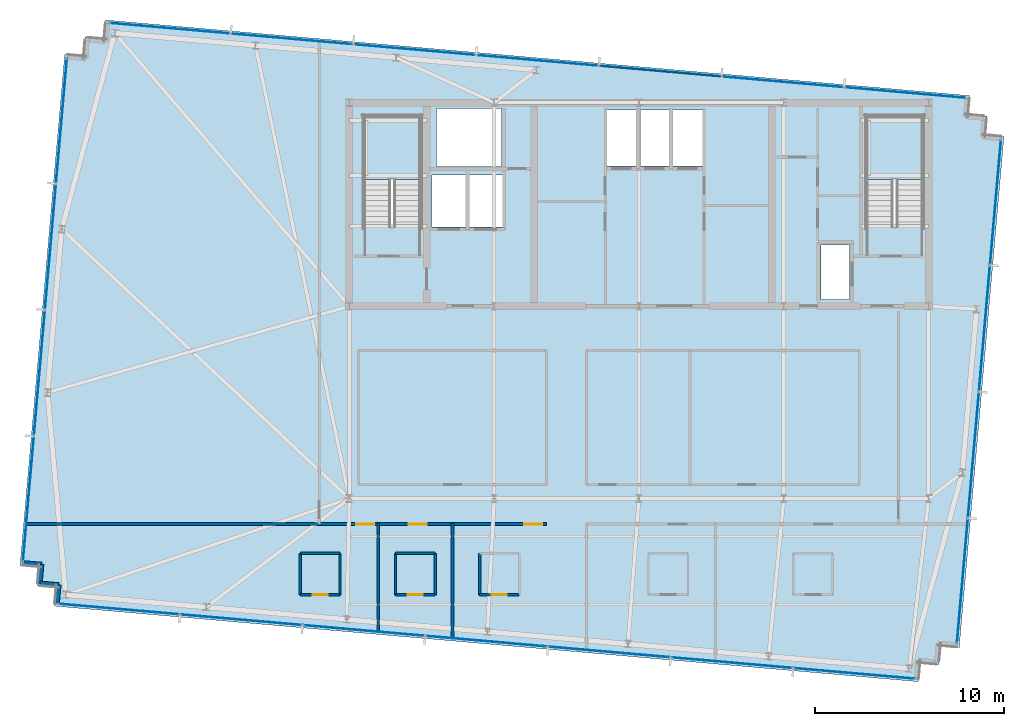
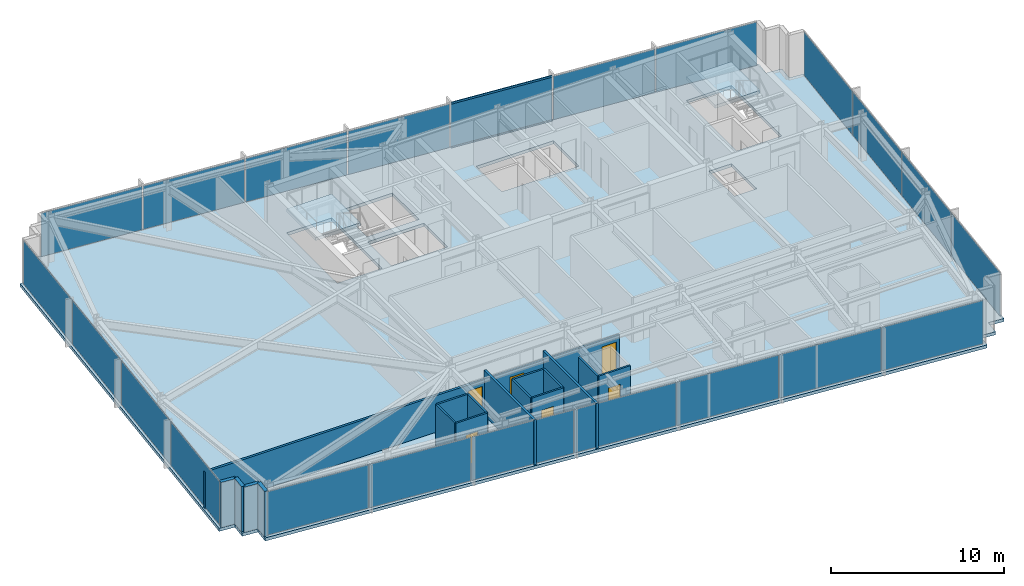
# One storey, part 26 of 33: 22 plates, 17 walls, 6 doors, 3 slabs, 2 members, 6 openings, 6 elements without a shape of their own.
"""IFC4 building model written with IfcOpenShell, lengths in metres."""

from ifc_helpers import new_model, si_unit, direction, frame, frame_2d, origin, origin_2d, place, context, subcontext, project, spatial, polyline, rectangle, hollow_rectangle, outline, extrude, material, layer, layer_set, material_profile, profile_set, type_object, element, fill, aggregate, save


model = new_model("IFC4")

# Units and contexts
model_context = context("Model", 3, precision=1e-05, world=origin(), true_north=direction((0.0, 1.0)))
body_context = subcontext(model_context, "Body", "Model", "MODEL_VIEW")
ifc_project = project(units=[si_unit("LENGTHUNIT", "METRE"), si_unit("AREAUNIT", "SQUARE_METRE"), si_unit("VOLUMEUNIT", "CUBIC_METRE"), si_unit("PLANEANGLEUNIT", "RADIAN"), si_unit("MASSUNIT", "GRAM", prefix="KILO")], contexts=[model_context])

# Site, building, storey
site_placement = place(None, origin())
site = spatial("IfcSite", under=ifc_project, at=site_placement, CompositionType="ELEMENT")
building_placement = place(site_placement, origin())
building = spatial("IfcBuilding", under=site, at=building_placement, Name="Yelkora Congress Tower", CompositionType="ELEMENT")
storey_placement = place(building_placement, frame((0.0, 0.0, 286.300048828125)))
storey = spatial("IfcBuildingStorey", under=building, at=storey_placement, Name="L80", CompositionType="ELEMENT", Elevation=286.300048828125)

# Curtain wall, members
ifc_material_1 = material(Name="Anodised aluminium and insulated glass", Category="aluminium")
curtain_wall_type = type_object("IfcCurtainWallType", Name="CW-SYS-B5", PredefinedType="NOTDEFINED", material=ifc_material_1)
curtain_wall_1_placement = place(storey_placement, origin())
curtain_wall_1 = element("IfcCurtainWall", 1, at=curtain_wall_1_placement, inside=storey, type_object=curtain_wall_type, Name="L80 Unitised Curtain Wall 10", PredefinedType="NOTDEFINED")
ifc_material_2 = material(Name="Anodised aluminium 6063-T6", Category="aluminium")
ifc_material_profile = material_profile(ifc_material_2, hollow_rectangle(XDim=0.06005859375, YDim=0.1298828125, WallThickness=0.00390625, at=origin_2d()), Name="ALU 60x130x4")
ifc_profile_set = profile_set([ifc_material_profile], Name="Anodised aluminium 6063-T6")
member_type = type_object("IfcMemberType", Name="MEM-TR-B5", PredefinedType="USERDEFINED", material=ifc_profile_set)
member_1_placement = place(storey_placement, frame((36.298583984375, 48.14794921875, 0.030029296875), z_axis=(0.996192979814, -0.08717538052, 0.0), x_axis=(0.08717538052, 0.996192979814, 0.0)))
member_1 = element("IfcMember", 2, at=member_1_placement, type_object=member_type, Name="CW-B5 transom 5.1", ObjectType="TRANSOM", PredefinedType="USERDEFINED", context=body_context, shape_type="SweptSolid", body=[
    extrude(hollow_rectangle(XDim=0.06005859375, YDim=0.1298828125, WallThickness=0.00390625, at=origin_2d()), origin(), (0.0, 0.0, 1.0), 6.466552734375),
])
member_2_placement = place(storey_placement, frame((36.298583984375, 48.14794921875, 3.14990234375), z_axis=(0.996192979814, -0.08717538052, 0.0), x_axis=(0.08717538052, 0.996192979814, 0.0)))
member_2 = element("IfcMember", 3, at=member_2_placement, type_object=member_type, Name="CW-B5 transom 5.2", ObjectType="TRANSOM", PredefinedType="USERDEFINED", context=body_context, shape_type="SweptSolid", body=[
    extrude(hollow_rectangle(XDim=0.06005859375, YDim=0.1298828125, WallThickness=0.00390625, at=origin_2d()), origin(), (0.0, 0.0, 1.0), 6.466552734375),
])

# Curtain wall, plates
curtain_wall_2_placement = place(storey_placement, origin())
curtain_wall_2 = element("IfcCurtainWall", 4, at=curtain_wall_2_placement, inside=storey, type_object=curtain_wall_type, Name="L80 Unitised Curtain Wall 5", PredefinedType="NOTDEFINED")
ifc_material_3 = material(Name="High-altitude triple glazed unit B5", Category="glass")
ifc_layer_1 = layer(ifc_material_3, 0.033935546875)
ifc_layer_set_1 = layer_set([ifc_layer_1], Name="High-altitude triple glazed unit B5")
plate_type = type_object("IfcPlateType", Name="PLT-PN-B5", PredefinedType="CURTAIN_PANEL", material=ifc_layer_set_1)
plate_1_placement = place(storey_placement, frame((6.021728515625, 25.16064453125, 0.059814453125), z_axis=(0.0, 0.0, 1.0), x_axis=(0.08715473876, 0.996194785929, 0.0)))
plate_1 = element("IfcPlate", 5, at=plate_1_placement, type_object=plate_type, Name="CW-B5 panel 1.1", PredefinedType="CURTAIN_PANEL", context=body_context, shape_type="SweptSolid", body=[
    extrude(rectangle(XDim=6.632568359375, YDim=0.033935546875, at=origin_2d()), origin(), (0.0, 0.0, 1.0), 3.06005859375),
])
plate_2_placement = place(storey_placement, frame((6.60693359375, 31.848876953125, 0.059814453125), z_axis=(0.0, 0.0, 1.0), x_axis=(0.08715473876, 0.996194785929, 0.0)))
plate_2 = element("IfcPlate", 6, at=plate_2_placement, type_object=plate_type, Name="CW-B5 panel 2.1", PredefinedType="CURTAIN_PANEL", context=body_context, shape_type="SweptSolid", body=[
    extrude(rectangle(XDim=6.6650390625, YDim=0.033935546875, at=origin_2d()), origin(), (0.0, 0.0, 1.0), 3.06005859375),
])
plate_3_placement = place(storey_placement, frame((7.193359375, 38.55322265625, 0.059814453125), z_axis=(0.0, 0.0, 1.0), x_axis=(0.08715473876, 0.996194785929, 0.0)))
plate_3 = element("IfcPlate", 7, at=plate_3_placement, type_object=plate_type, Name="CW-B5 panel 3.1", PredefinedType="CURTAIN_PANEL", context=body_context, shape_type="SweptSolid", body=[
    extrude(rectangle(XDim=6.6650390625, YDim=0.033935546875, at=origin_2d()), origin(), (0.0, 0.0, 1.0), 3.06005859375),
])
plate_4_placement = place(storey_placement, frame((7.778564453125, 45.2412109375, 0.059814453125), z_axis=(0.0, 0.0, 1.0), x_axis=(0.08715473876, 0.996194785929, 0.0)))
plate_4 = element("IfcPlate", 8, at=plate_4_placement, type_object=plate_type, Name="CW-B5 panel 4.1", PredefinedType="CURTAIN_PANEL", context=body_context, shape_type="SweptSolid", body=[
    extrude(rectangle(XDim=6.632568359375, YDim=0.033935546875, at=origin_2d()), origin(), (0.0, 0.0, 1.0), 3.06005859375),
])
aggregate(curtain_wall_2, [plate_1, plate_2, plate_3, plate_4])

# Plate
plate_5_placement = place(storey_placement, frame((13.509521484375, 50.141845703125, 0.059814453125), z_axis=(0.0, 0.0, 1.0), x_axis=(0.996194619601, -0.087156639893, 0.0)))
plate_5 = element("IfcPlate", 9, at=plate_5_placement, type_object=plate_type, Name="CW-B5 panel 1.1", PredefinedType="CURTAIN_PANEL", context=body_context, shape_type="SweptSolid", body=[
    extrude(rectangle(XDim=6.433837890625, YDim=0.033935546875, at=origin_2d()), origin(), (0.0, 0.0, 1.0), 3.06005859375),
])

plate_6_placement = place(storey_placement, frame((19.999755859375, 49.573974609375, 0.059814453125), z_axis=(0.0, 0.0, 1.0), x_axis=(0.996194619601, -0.087156639893, 0.0)))
plate_6 = element("IfcPlate", 10, at=plate_6_placement, type_object=plate_type, Name="CW-B5 panel 2.1", PredefinedType="CURTAIN_PANEL", context=body_context, shape_type="SweptSolid", body=[
    extrude(rectangle(XDim=6.46630859375, YDim=0.033935546875, at=origin_2d()), origin(), (0.0, 0.0, 1.0), 3.06005859375),
])

plate_7_placement = place(storey_placement, frame((26.50634765625, 49.004638671875, 0.059814453125), z_axis=(0.0, 0.0, 1.0), x_axis=(0.996194619601, -0.087156639893, 0.0)))
plate_7 = element("IfcPlate", 11, at=plate_7_placement, type_object=plate_type, Name="CW-B5 panel 3.1", PredefinedType="CURTAIN_PANEL", context=body_context, shape_type="SweptSolid", body=[
    extrude(rectangle(XDim=6.46630859375, YDim=0.033935546875, at=origin_2d()), origin(), (0.0, 0.0, 1.0), 3.06005859375),
])

plate_8_placement = place(storey_placement, frame((33.012939453125, 48.435302734375, 0.059814453125), z_axis=(0.0, 0.0, 1.0), x_axis=(0.996194619601, -0.087156639893, 0.0)))
plate_8 = element("IfcPlate", 12, at=plate_8_placement, type_object=plate_type, Name="CW-B5 panel 4.1", PredefinedType="CURTAIN_PANEL", context=body_context, shape_type="SweptSolid", body=[
    extrude(rectangle(XDim=6.46630859375, YDim=0.033935546875, at=origin_2d()), origin(), (0.0, 0.0, 1.0), 3.06005859375),
])

plate_9_placement = place(storey_placement, frame((39.51953125, 47.8662109375, 0.059814453125), z_axis=(0.0, 0.0, 1.0), x_axis=(0.996194619601, -0.087156639893, 0.0)))
plate_9 = element("IfcPlate", 13, at=plate_9_placement, type_object=plate_type, Name="CW-B5 panel 5.1", PredefinedType="CURTAIN_PANEL", context=body_context, shape_type="SweptSolid", body=[
    extrude(rectangle(XDim=6.46630859375, YDim=0.033935546875, at=origin_2d()), origin(), (0.0, 0.0, 1.0), 3.06005859375),
])

plate_10_placement = place(storey_placement, frame((46.026123046875, 47.296875, 0.059814453125), z_axis=(0.0, 0.0, 1.0), x_axis=(0.996194619601, -0.087156639893, 0.0)))
plate_10 = element("IfcPlate", 14, at=plate_10_placement, type_object=plate_type, Name="CW-B5 panel 6.1", PredefinedType="CURTAIN_PANEL", context=body_context, shape_type="SweptSolid", body=[
    extrude(rectangle(XDim=6.46630859375, YDim=0.033935546875, at=origin_2d()), origin(), (0.0, 0.0, 1.0), 3.06005859375),
])

plate_11_placement = place(storey_placement, frame((52.5166015625, 46.72900390625, 0.059814453125), z_axis=(0.0, 0.0, 1.0), x_axis=(0.996194619601, -0.087156639893, 0.0)))
plate_11 = element("IfcPlate", 15, at=plate_11_placement, type_object=plate_type, Name="CW-B5 panel 7.1", PredefinedType="CURTAIN_PANEL", context=body_context, shape_type="SweptSolid", body=[
    extrude(rectangle(XDim=6.433837890625, YDim=0.033935546875, at=origin_2d()), origin(), (0.0, 0.0, 1.0), 3.06005859375),
])

aggregate(curtain_wall_1, [plate_5, plate_6, plate_7, plate_8, member_1, member_2, plate_9, plate_10, plate_11])

# Curtain wall, plates
curtain_wall_3_placement = place(storey_placement, origin())
curtain_wall_3 = element("IfcCurtainWall", 16, at=curtain_wall_3_placement, inside=storey, type_object=curtain_wall_type, Name="L80 Unitised Curtain Wall 15", PredefinedType="NOTDEFINED")
plate_12_placement = place(storey_placement, frame((57.309326171875, 40.907958984375, 0.059814453125), z_axis=(0.0, 0.0, 1.0), x_axis=(-0.087158425264, -0.996194463398, 0.0)))
plate_12 = element("IfcPlate", 17, at=plate_12_placement, type_object=plate_type, Name="CW-B5 panel 1.1", PredefinedType="CURTAIN_PANEL", context=body_context, shape_type="SweptSolid", body=[
    extrude(rectangle(XDim=6.632568359375, YDim=0.033935546875, at=origin_2d()), origin(), (0.0, 0.0, 1.0), 3.06005859375),
])
plate_13_placement = place(storey_placement, frame((56.72412109375, 34.2197265625, 0.059814453125), z_axis=(0.0, 0.0, 1.0), x_axis=(-0.087158425264, -0.996194463398, 0.0)))
plate_13 = element("IfcPlate", 18, at=plate_13_placement, type_object=plate_type, Name="CW-B5 panel 2.1", PredefinedType="CURTAIN_PANEL", context=body_context, shape_type="SweptSolid", body=[
    extrude(rectangle(XDim=6.6650390625, YDim=0.033935546875, at=origin_2d()), origin(), (0.0, 0.0, 1.0), 3.06005859375),
])
plate_14_placement = place(storey_placement, frame((56.1376953125, 27.515380859375, 0.059814453125), z_axis=(0.0, 0.0, 1.0), x_axis=(-0.087158425264, -0.996194463398, 0.0)))
plate_14 = element("IfcPlate", 19, at=plate_14_placement, type_object=plate_type, Name="CW-B5 panel 3.1", PredefinedType="CURTAIN_PANEL", context=body_context, shape_type="SweptSolid", body=[
    extrude(rectangle(XDim=6.6650390625, YDim=0.033935546875, at=origin_2d()), origin(), (0.0, 0.0, 1.0), 3.06005859375),
])
plate_15_placement = place(storey_placement, frame((55.552490234375, 20.8271484375, 0.059814453125), z_axis=(0.0, 0.0, 1.0), x_axis=(-0.087158425264, -0.996194463398, 0.0)))
plate_15 = element("IfcPlate", 20, at=plate_15_placement, type_object=plate_type, Name="CW-B5 panel 4.1", PredefinedType="CURTAIN_PANEL", context=body_context, shape_type="SweptSolid", body=[
    extrude(rectangle(XDim=6.632568359375, YDim=0.033935546875, at=origin_2d()), origin(), (0.0, 0.0, 1.0), 3.06005859375),
])
aggregate(curtain_wall_3, [plate_12, plate_13, plate_14, plate_15])

curtain_wall_4_placement = place(storey_placement, origin())
curtain_wall_4 = element("IfcCurtainWall", 21, at=curtain_wall_4_placement, inside=storey, type_object=curtain_wall_type, Name="L80 Unitised Curtain Wall 20", PredefinedType="NOTDEFINED")
plate_16_placement = place(storey_placement, frame((49.821533203125, 15.9267578125, 0.059814453125), z_axis=(0.0, 0.0, 1.0), x_axis=(-0.996194602987, 0.087156829793, 0.0)))
plate_16 = element("IfcPlate", 22, at=plate_16_placement, type_object=plate_type, Name="CW-B5 panel 1.1", PredefinedType="CURTAIN_PANEL", context=body_context, shape_type="SweptSolid", body=[
    extrude(rectangle(XDim=6.433837890625, YDim=0.033935546875, at=origin_2d()), origin(), (0.0, 0.0, 1.0), 3.06005859375),
])
plate_17_placement = place(storey_placement, frame((43.331298828125, 16.49462890625, 0.059814453125), z_axis=(0.0, 0.0, 1.0), x_axis=(-0.996194602987, 0.087156829793, 0.0)))
plate_17 = element("IfcPlate", 23, at=plate_17_placement, type_object=plate_type, Name="CW-B5 panel 2.1", PredefinedType="CURTAIN_PANEL", context=body_context, shape_type="SweptSolid", body=[
    extrude(rectangle(XDim=6.46630859375, YDim=0.033935546875, at=origin_2d()), origin(), (0.0, 0.0, 1.0), 3.06005859375),
])
plate_18_placement = place(storey_placement, frame((36.82470703125, 17.06396484375, 0.059814453125), z_axis=(0.0, 0.0, 1.0), x_axis=(-0.996194602987, 0.087156829793, 0.0)))
plate_18 = element("IfcPlate", 24, at=plate_18_placement, type_object=plate_type, Name="CW-B5 panel 3.1", PredefinedType="CURTAIN_PANEL", context=body_context, shape_type="SweptSolid", body=[
    extrude(rectangle(XDim=6.46630859375, YDim=0.033935546875, at=origin_2d()), origin(), (0.0, 0.0, 1.0), 3.06005859375),
])
plate_19_placement = place(storey_placement, frame((30.318115234375, 17.633056640625, 0.059814453125), z_axis=(0.0, 0.0, 1.0), x_axis=(-0.996194602987, 0.087156829793, 0.0)))
plate_19 = element("IfcPlate", 25, at=plate_19_placement, type_object=plate_type, Name="CW-B5 panel 4.1", PredefinedType="CURTAIN_PANEL", context=body_context, shape_type="SweptSolid", body=[
    extrude(rectangle(XDim=6.46630859375, YDim=0.033935546875, at=origin_2d()), origin(), (0.0, 0.0, 1.0), 3.06005859375),
])
plate_20_placement = place(storey_placement, frame((23.8115234375, 18.202392578125, 0.059814453125), z_axis=(0.0, 0.0, 1.0), x_axis=(-0.996194602987, 0.087156829793, 0.0)))
plate_20 = element("IfcPlate", 26, at=plate_20_placement, type_object=plate_type, Name="CW-B5 panel 5.1", PredefinedType="CURTAIN_PANEL", context=body_context, shape_type="SweptSolid", body=[
    extrude(rectangle(XDim=6.46630859375, YDim=0.033935546875, at=origin_2d()), origin(), (0.0, 0.0, 1.0), 3.06005859375),
])
plate_21_placement = place(storey_placement, frame((17.304931640625, 18.771728515625, 0.059814453125), z_axis=(0.0, 0.0, 1.0), x_axis=(-0.996194602987, 0.087156829793, 0.0)))
plate_21 = element("IfcPlate", 27, at=plate_21_placement, type_object=plate_type, Name="CW-B5 panel 6.1", PredefinedType="CURTAIN_PANEL", context=body_context, shape_type="SweptSolid", body=[
    extrude(rectangle(XDim=6.46630859375, YDim=0.033935546875, at=origin_2d()), origin(), (0.0, 0.0, 1.0), 3.06005859375),
])
plate_22_placement = place(storey_placement, frame((10.814697265625, 19.33935546875, 0.059814453125), z_axis=(0.0, 0.0, 1.0), x_axis=(-0.996194602987, 0.087156829793, 0.0)))
plate_22 = element("IfcPlate", 28, at=plate_22_placement, type_object=plate_type, Name="CW-B5 panel 7.1", PredefinedType="CURTAIN_PANEL", context=body_context, shape_type="SweptSolid", body=[
    extrude(rectangle(XDim=6.433837890625, YDim=0.033935546875, at=origin_2d()), origin(), (0.0, 0.0, 1.0), 3.06005859375),
])
aggregate(curtain_wall_4, [plate_16, plate_17, plate_18, plate_19, plate_20, plate_21, plate_22])

# Stair, slab
ifc_material_4 = material(Name="Concrete C40/50", Category="concrete")
stair_type = type_object("IfcStairType", Name="STAIR-HT-1420-R20-170", PredefinedType="HALF_TURN_STAIR", material=ifc_material_4)
stair_1_placement = place(storey_placement, origin())
stair_1 = element("IfcStair", 29, at=stair_1_placement, inside=storey, type_object=stair_type, Name="West Core Protected Exit Stair ST-01 (L80)", PredefinedType="HALF_TURN_STAIR")
ifc_layer_2 = layer(ifc_material_4, 0.219970703125)
ifc_layer_set_2 = layer_set([ifc_layer_2], Name="Concrete C40/50")
slab_type_1 = type_object("IfcSlabType", Name="SLAB-LANDING-220", PredefinedType="LANDING", material=ifc_layer_set_2)
slab_1_placement = place(storey_placement, frame((0.0, 0.0, 1.47998046875)))
slab_1 = element("IfcSlab", 30, at=slab_1_placement, type_object=slab_type_1, Name="ST-01 L80 Half Landing 1", PredefinedType="LANDING", context=body_context, shape_type="SweptSolid", body=[
    extrude(outline(polyline([(26.820068359375, 42.1201171875), (26.820068359375, 45.469970703125), (23.820068359375, 45.469970703125), (23.820068359375, 42.1201171875), (26.820068359375, 42.1201171875)])), origin(), (0.0, 0.0, 1.0), 0.219970703125),
])
aggregate(stair_1, [slab_1])

stair_2_placement = place(storey_placement, origin())
stair_2 = element("IfcStair", 31, at=stair_2_placement, inside=storey, type_object=stair_type, Name="East Core Protected Exit Stair ST-02 (L80)", PredefinedType="HALF_TURN_STAIR")
slab_2_placement = place(storey_placement, frame((0.0, 0.0, 1.47998046875)))
slab_2 = element("IfcSlab", 32, at=slab_2_placement, type_object=slab_type_1, Name="ST-02 L80 Half Landing 1", PredefinedType="LANDING", context=body_context, shape_type="SweptSolid", body=[
    extrude(outline(polyline([(53.4599609375, 42.1201171875), (53.4599609375, 45.469970703125), (50.4599609375, 45.469970703125), (50.4599609375, 42.1201171875), (53.4599609375, 42.1201171875)])), origin(), (0.0, 0.0, 1.0), 0.219970703125),
])
aggregate(stair_2, [slab_2])

# Slab
ifc_layer_3 = layer(ifc_material_4, 0.219970703125)
ifc_layer_set_3 = layer_set([ifc_layer_3], Name="Concrete C40/50")
slab_type_2 = type_object("IfcSlabType", Name="SLAB-TWR-220", PredefinedType="FLOOR", material=ifc_layer_set_3)
slab_3_placement = place(storey_placement, frame((0.0, 0.0, -0.219970703125)))
element("IfcSlab", 33, at=slab_3_placement, inside=storey, type_object=slab_type_2, Name="L80 Structural Floor Slab", PredefinedType="FLOOR", context=body_context, shape_type="SweptSolid", body=[
    extrude(outline(polyline([(7.3935546875, 19.498291015625), (53.218505859375, 15.489013671875), (53.3056640625, 16.485107421875), (54.3017578125, 16.398193359375), (54.388916015625, 17.394287109375), (55.385009765625, 17.30712890625), (57.755859375, 44.403564453125), (56.759521484375, 44.49072265625), (56.8466796875, 45.487060546875), (55.8505859375, 45.57421875), (55.937744140625, 46.5703125), (10.11279296875, 50.57958984375), (10.025634765625, 49.583251953125), (9.029296875, 49.67041015625), (8.942138671875, 48.67431640625), (7.946044921875, 48.761474609375), (5.575439453125, 21.664794921875), (6.571533203125, 21.57763671875), (6.484619140625, 20.58154296875), (7.480712890625, 20.494384765625), (7.3935546875, 19.498291015625)]), holes=[polyline([(23.820068359375, 39.6298828125), (26.820068359375, 39.6298828125), (26.820068359375, 45.469970703125), (23.820068359375, 45.469970703125), (23.820068359375, 39.6298828125)]), polyline([(50.4599609375, 39.6298828125), (53.4599609375, 39.6298828125), (53.4599609375, 45.469970703125), (50.4599609375, 45.469970703125), (50.4599609375, 39.6298828125)]), polyline([(48.050048828125, 35.75), (49.550048828125, 35.75), (49.550048828125, 38.64990234375), (48.050048828125, 38.64990234375), (48.050048828125, 35.75)]), polyline([(36.64990234375, 42.85009765625), (41.800048828125, 42.85009765625), (41.800048828125, 45.800048828125), (36.64990234375, 45.800048828125), (36.64990234375, 42.85009765625)]), polyline([(27.419921875, 39.60009765625), (31.179931640625, 39.60009765625), (31.179931640625, 42.35009765625), (27.419921875, 42.35009765625), (27.419921875, 39.60009765625)]), polyline([(27.64990234375, 42.820068359375), (31.1201171875, 42.820068359375), (31.1201171875, 45.8798828125), (27.64990234375, 45.8798828125), (27.64990234375, 42.820068359375)])]), origin(), (0.0, 0.0, 1.0), 0.219970703125),
])

# Walls
ifc_layer_4 = layer(ifc_material_4, 0.239990234375)
ifc_layer_set_4 = layer_set([ifc_layer_4], Name="Concrete C40/50")
wall_type_1 = type_object("IfcWallType", Name="WALL-EXT-LIMESTONE-240", PredefinedType="SOLIDWALL", material=ifc_layer_set_4)
for number, where, z_axis, x_axis, name in (
    (34, (7.545166015625, 19.62548828125, 0.0), (0.0, 0.0, 1.0), (0.087166950281, 0.996193717496, 0.0), "L80 Serrated Corner Limestone Pier 1"),
    (35, (7.63232421875, 20.62158203125, 0.0), (0.0, 0.0, 1.0), (-0.996193717496, 0.087166950281, 0.0), "L80 Serrated Corner Limestone Pier 2"),
):
    element("IfcWall", number, at=place(storey_placement, frame(where, z_axis=z_axis, x_axis=x_axis)), inside=storey, type_object=wall_type_1, Name=name, PredefinedType="SOLIDWALL", context=body_context, shape_type="SweptSolid", body=[
        extrude(rectangle(XDim=1.0, YDim=0.239990234375, at=frame_2d((0.5, 0.0))), origin(), (0.0, 0.0, 1.0), 3.179931640625),
    ])
for number, where, z_axis, x_axis, name in (
    (36, (6.63623046875, 20.708740234375, 0.0), (0.0, 0.0, 1.0), (0.087145753297, 0.996195572005, 0.0), "L80 Serrated Corner Limestone Pier 3"),
    (37, (6.723388671875, 21.705078125, 0.0), (0.0, 0.0, 1.0), (-0.996195572005, 0.087145753297, 0.0), "L80 Serrated Corner Limestone Pier 4"),
):
    element("IfcWall", number, at=place(storey_placement, frame(where, z_axis=z_axis, x_axis=x_axis)), inside=storey, type_object=wall_type_1, Name=name, PredefinedType="SOLIDWALL", context=body_context, shape_type="SweptSolid", body=[
        extrude(rectangle(XDim=1.000244140625, YDim=0.239990234375, at=frame_2d((0.5, 0.0))), origin(), (0.0, 0.0, 1.0), 3.179931640625),
    ])
ifc_material_5 = material(Name="Moisture-resistant gypsum partition", Category="gypsum")
ifc_layer_5 = layer(ifc_material_5, 0.1201171875)
ifc_layer_set_5 = layer_set([ifc_layer_5], Name="Moisture-resistant gypsum partition")
wall_type_2 = type_object("IfcWallType", Name="WALL-INT-120-NR", PredefinedType="PARTITIONING", material=ifc_layer_set_5)
wall_1_placement = place(storey_placement, frame((20.43994140625, 22.300048828125, 0.0), z_axis=(0.0, 0.0, 1.0), x_axis=(1.0, 0.0, 0.0)))
element("IfcWall", 38, at=wall_1_placement, inside=storey, type_object=wall_type_2, Name="L80 Partition Wall 23", PredefinedType="PARTITIONING", context=body_context, shape_type="SweptSolid", body=[
    extrude(rectangle(XDim=2.10009765625, YDim=0.1201171875, at=frame_2d((1.050048828125, 0.0))), origin(), (0.0, 0.0, 1.0), 3.179931640625),
])
for number, where, z_axis, x_axis, name in (
    (39, (20.43994140625, 20.10009765625, 0.0), (0.0, 0.0, 1.0), (0.0, 1.0, 0.0), "L80 Partition Wall 24"),
    (40, (22.5400390625, 20.10009765625, 0.0), (0.0, 0.0, 1.0), (0.0, 1.0, 0.0), "L80 Partition Wall 25"),
):
    element("IfcWall", number, at=place(storey_placement, frame(where, z_axis=z_axis, x_axis=x_axis)), inside=storey, type_object=wall_type_2, Name=name, PredefinedType="PARTITIONING", context=body_context, shape_type="SweptSolid", body=[
        extrude(rectangle(XDim=2.199951171875, YDim=0.1201171875, at=frame_2d((1.10009765625, 0.0))), origin(), (0.0, 0.0, 1.0), 3.179931640625),
    ])

# Wall, opening, door
wall_2_placement = place(storey_placement, frame((20.43994140625, 20.10009765625, 0.0), z_axis=(0.0, 0.0, 1.0), x_axis=(1.0, 0.0, 0.0)))
wall_2 = element("IfcWall", 41, at=wall_2_placement, inside=storey, type_object=wall_type_2, Name="L80 Partition Wall 26", PredefinedType="PARTITIONING", context=body_context, shape_type="SweptSolid", body=[
    extrude(rectangle(XDim=2.10009765625, YDim=0.1201171875, at=frame_2d((1.050048828125, 0.0))), origin(), (0.0, 0.0, 1.0), 3.179931640625),
])
opening_1_placement = place(wall_2_placement, frame((0.64990234375, 0.0, 0.0)))
opening_1 = element("IfcOpeningElement", 42, at=opening_1_placement, cuts=wall_2, Name="Opening DR-080B", PredefinedType="OPENING", context=body_context, shape_type="SweptSolid", body=[
    extrude(rectangle(XDim=0.800048828125, YDim=2.10009765625, at=frame_2d((0.39990234375, 1.050048828125))), frame((0.0, 0.070068359375, 0.0), z_axis=(0.0, -1.0, 0.0), x_axis=(1.0, 0.0, 0.0)), (0.0, 0.0, 1.0), 0.14013671875),
])
ifc_material_6 = material(Name="Moisture-sealed en-suite timber door", Category="wood")
door_type_1 = type_object("IfcDoorType", Name="DOOR-BATH-800", OperationType="NOTDEFINED", PredefinedType="DOOR", material=ifc_material_6)
door_1_placement = place(opening_1_placement, origin())
door_1 = element("IfcDoor", 43, at=door_1_placement, inside=storey, type_object=door_type_1, Name="L80 En-suite Door 1", OperationType="SINGLE_SWING_RIGHT", OverallHeight=2.10009765625, OverallWidth=0.800048828125, PredefinedType="DOOR", context=body_context, shape_type="SweptSolid", body=[
    extrude(rectangle(XDim=0.800048828125, YDim=2.10009765625, at=frame_2d((0.39990234375, 1.050048828125))), frame((0.0, 0.02490234375, 0.0), z_axis=(0.0, -1.0, 0.0), x_axis=(1.0, 0.0, 0.0)), (0.0, 0.0, 1.0), 0.050048828125),
])
fill(opening_1, door_1)

# Walls
wall_3_placement = place(storey_placement, frame((25.492919921875, 22.300048828125, 0.0), z_axis=(0.0, 0.0, 1.0), x_axis=(1.0, 0.0, 0.0)))
element("IfcWall", 44, at=wall_3_placement, inside=storey, type_object=wall_type_2, Name="L80 Partition Wall 27", PredefinedType="PARTITIONING", context=body_context, shape_type="SweptSolid", body=[
    extrude(rectangle(XDim=2.10009765625, YDim=0.1201171875, at=frame_2d((1.050048828125, 0.0))), origin(), (0.0, 0.0, 1.0), 3.179931640625),
])
for number, where, z_axis, x_axis, name in (
    (45, (25.492919921875, 20.10009765625, 0.0), (0.0, 0.0, 1.0), (0.0, 1.0, 0.0), "L80 Partition Wall 28"),
    (46, (27.593017578125, 20.10009765625, 0.0), (0.0, 0.0, 1.0), (0.0, 1.0, 0.0), "L80 Partition Wall 29"),
):
    element("IfcWall", number, at=place(storey_placement, frame(where, z_axis=z_axis, x_axis=x_axis)), inside=storey, type_object=wall_type_2, Name=name, PredefinedType="PARTITIONING", context=body_context, shape_type="SweptSolid", body=[
        extrude(rectangle(XDim=2.199951171875, YDim=0.1201171875, at=frame_2d((1.10009765625, 0.0))), origin(), (0.0, 0.0, 1.0), 3.179931640625),
    ])

# Wall, opening, door
wall_4_placement = place(storey_placement, frame((25.492919921875, 20.10009765625, 0.0), z_axis=(0.0, 0.0, 1.0), x_axis=(1.0, 0.0, 0.0)))
wall_4 = element("IfcWall", 47, at=wall_4_placement, inside=storey, type_object=wall_type_2, Name="L80 Partition Wall 30", PredefinedType="PARTITIONING", context=body_context, shape_type="SweptSolid", body=[
    extrude(rectangle(XDim=2.10009765625, YDim=0.1201171875, at=frame_2d((1.050048828125, 0.0))), origin(), (0.0, 0.0, 1.0), 3.179931640625),
])
opening_2_placement = place(wall_4_placement, frame((0.64990234375, 0.0, 0.0)))
opening_2 = element("IfcOpeningElement", 48, at=opening_2_placement, cuts=wall_4, Name="Opening DR-080B", PredefinedType="OPENING", context=body_context, shape_type="SweptSolid", body=[
    extrude(rectangle(XDim=0.800048828125, YDim=2.10009765625, at=frame_2d((0.39990234375, 1.050048828125))), frame((0.0, 0.070068359375, 0.0), z_axis=(0.0, -1.0, 0.0), x_axis=(1.0, 0.0, 0.0)), (0.0, 0.0, 1.0), 0.14013671875),
])
door_2_placement = place(opening_2_placement, origin())
door_2 = element("IfcDoor", 49, at=door_2_placement, inside=storey, type_object=door_type_1, Name="L80 En-suite Door 2", OperationType="SINGLE_SWING_LEFT", OverallHeight=2.10009765625, OverallWidth=0.800048828125, PredefinedType="DOOR", context=body_context, shape_type="SweptSolid", body=[
    extrude(rectangle(XDim=0.800048828125, YDim=2.10009765625, at=frame_2d((0.39990234375, 1.050048828125))), frame((0.0, 0.02490234375, 0.0), z_axis=(0.0, -1.0, 0.0), x_axis=(1.0, 0.0, 0.0)), (0.0, 0.0, 1.0), 0.050048828125),
])
fill(opening_2, door_2)

# Wall
wall_5_placement = place(storey_placement, frame((29.949951171875, 20.10009765625, 0.0), z_axis=(0.0, 0.0, 1.0), x_axis=(0.0, 1.0, 0.0)))
element("IfcWall", 50, at=wall_5_placement, inside=storey, type_object=wall_type_2, Name="L80 Partition Wall 33", PredefinedType="PARTITIONING", context=body_context, shape_type="SweptSolid", body=[
    extrude(rectangle(XDim=2.199951171875, YDim=0.1201171875, at=frame_2d((1.10009765625, 0.0))), origin(), (0.0, 0.0, 1.0), 3.179931640625),
])

# Wall, opening, door
wall_6_placement = place(storey_placement, frame((29.949951171875, 20.10009765625, 0.0), z_axis=(0.0, 0.0, 1.0), x_axis=(1.0, 0.0, 0.0)))
wall_6 = element("IfcWall", 51, at=wall_6_placement, inside=storey, type_object=wall_type_2, Name="L80 Partition Wall 35", PredefinedType="PARTITIONING", context=body_context, shape_type="SweptSolid", body=[
    extrude(rectangle(XDim=2.10009765625, YDim=0.1201171875, at=frame_2d((1.050048828125, 0.0))), origin(), (0.0, 0.0, 1.0), 3.179931640625),
])
opening_3_placement = place(wall_6_placement, frame((0.64990234375, 0.0, 0.0)))
opening_3 = element("IfcOpeningElement", 52, at=opening_3_placement, cuts=wall_6, Name="Opening DR-080B", PredefinedType="OPENING", context=body_context, shape_type="SweptSolid", body=[
    extrude(rectangle(XDim=0.800048828125, YDim=2.10009765625, at=frame_2d((0.39990234375, 1.050048828125))), frame((0.0, 0.070068359375, 0.0), z_axis=(0.0, -1.0, 0.0), x_axis=(1.0, 0.0, 0.0)), (0.0, 0.0, 1.0), 0.14013671875),
])
door_3_placement = place(opening_3_placement, origin())
door_3 = element("IfcDoor", 53, at=door_3_placement, inside=storey, type_object=door_type_1, Name="L80 En-suite Door 3", OperationType="SINGLE_SWING_RIGHT", OverallHeight=2.10009765625, OverallWidth=0.800048828125, PredefinedType="DOOR", context=body_context, shape_type="SweptSolid", body=[
    extrude(rectangle(XDim=0.800048828125, YDim=2.10009765625, at=frame_2d((0.39990234375, 1.050048828125))), frame((0.0, 0.02490234375, 0.0), z_axis=(0.0, -1.0, 0.0), x_axis=(1.0, 0.0, 0.0)), (0.0, 0.0, 1.0), 0.050048828125),
])
fill(opening_3, door_3)

# Walls
ifc_material_7 = material(Name="Twin-stud fire-rated gypsum partition", Category="gypsum")
ifc_layer_6 = layer(ifc_material_7, 0.14990234375)
ifc_layer_set_6 = layer_set([ifc_layer_6], Name="Twin-stud fire-rated gypsum partition")
wall_type_3 = type_object("IfcWallType", Name="WALL-INT-150-R60", PredefinedType="PARTITIONING", material=ifc_layer_set_6)
wall_7_placement = place(storey_placement, frame((24.574951171875, 18.0751953125, 0.0), z_axis=(0.0, 0.0, 1.0), x_axis=(0.0, 1.0, 0.0)))
element("IfcWall", 54, at=wall_7_placement, inside=storey, type_object=wall_type_3, Name="L80 Partition Wall 31", PredefinedType="PARTITIONING", context=body_context, shape_type="SweptSolid", body=[
    extrude(rectangle(XDim=5.794921875, YDim=0.14990234375, at=frame_2d((2.8974609375, 0.0))), origin(), (0.0, 0.0, 1.0), 3.179931640625),
])
wall_8_placement = place(storey_placement, frame((28.510009765625, 17.73095703125, 0.0), z_axis=(0.0, 0.0, 1.0), x_axis=(0.0, 1.0, 0.0)))
element("IfcWall", 55, at=wall_8_placement, inside=storey, type_object=wall_type_3, Name="L80 Partition Wall 36", PredefinedType="PARTITIONING", context=body_context, shape_type="SweptSolid", body=[
    extrude(rectangle(XDim=6.13916015625, YDim=0.14990234375, at=frame_2d((3.069580078125, 0.0))), origin(), (0.0, 0.0, 1.0), 3.179931640625),
])

# Wall, openings, doors
wall_9_placement = place(storey_placement, frame((5.846923828125, 23.85009765625, 0.0), z_axis=(0.0, 0.0, 1.0), x_axis=(1.0, 0.0, 0.0)))
wall_9 = element("IfcWall", 56, at=wall_9_placement, inside=storey, type_object=wall_type_3, Name="L80 South Spine Wall West", PredefinedType="PARTITIONING", context=body_context, shape_type="SweptSolid", body=[
    extrude(rectangle(XDim=27.653076171875, YDim=0.14990234375, at=frame_2d((13.82666015625, 0.0))), origin(), (0.0, 0.0, 1.0), 2.574951171875),
])
opening_4_placement = place(wall_9_placement, frame((17.55810546875, 0.0, 0.0)))
opening_4 = element("IfcOpeningElement", 57, at=opening_4_placement, cuts=wall_9, Name="Opening DR-095F6", PredefinedType="OPENING", context=body_context, shape_type="SweptSolid", body=[
    extrude(rectangle(XDim=0.949951171875, YDim=2.14990234375, at=frame_2d((0.47509765625, 1.074951171875))), frame((0.0, 0.0849609375, 0.0), z_axis=(0.0, -1.0, 0.0), x_axis=(1.0, 0.0, 0.0)), (0.0, 0.0, 1.0), 0.169921875),
])
opening_5_placement = place(wall_9_placement, frame((20.335693359375, 0.0, 0.0)))
opening_5 = element("IfcOpeningElement", 58, at=opening_5_placement, cuts=wall_9, Name="Opening DR-095F6", PredefinedType="OPENING", context=body_context, shape_type="SweptSolid", body=[
    extrude(rectangle(XDim=0.949951171875, YDim=2.14990234375, at=frame_2d((0.47509765625, 1.074951171875))), frame((0.0, 0.0849609375, 0.0), z_axis=(0.0, -1.0, 0.0), x_axis=(1.0, 0.0, 0.0)), (0.0, 0.0, 1.0), 0.169921875),
])
opening_6_placement = place(wall_9_placement, frame((26.47314453125, 0.0, 0.0)))
opening_6 = element("IfcOpeningElement", 59, at=opening_6_placement, cuts=wall_9, Name="Opening DR-095F6", PredefinedType="OPENING", context=body_context, shape_type="SweptSolid", body=[
    extrude(rectangle(XDim=0.949951171875, YDim=2.14990234375, at=frame_2d((0.47509765625, 1.074951171875))), frame((0.0, 0.0849609375, 0.0), z_axis=(0.0, -1.0, 0.0), x_axis=(1.0, 0.0, 0.0)), (0.0, 0.0, 1.0), 0.169921875),
])
ifc_material_8 = material(Name="Acoustic oak-veneer fire door leaf", Category="wood")
door_type_2 = type_object("IfcDoorType", Name="DOOR-FD60-950", OperationType="NOTDEFINED", PredefinedType="DOOR", material=ifc_material_8)
door_4_placement = place(opening_4_placement, origin())
door_4 = element("IfcDoor", 60, at=door_4_placement, inside=storey, type_object=door_type_2, Name="L80 Diplomatic Suite 01 Entry Door", OperationType="SINGLE_SWING_LEFT", OverallHeight=2.14990234375, OverallWidth=0.949951171875, PredefinedType="DOOR", context=body_context, shape_type="SweptSolid", body=[
    extrude(rectangle(XDim=0.949951171875, YDim=2.14990234375, at=frame_2d((0.47509765625, 1.074951171875))), frame((0.0, 0.02490234375, 0.0), z_axis=(0.0, -1.0, 0.0), x_axis=(1.0, 0.0, 0.0)), (0.0, 0.0, 1.0), 0.050048828125),
])
fill(opening_4, door_4)
door_5_placement = place(opening_5_placement, origin())
door_5 = element("IfcDoor", 61, at=door_5_placement, inside=storey, type_object=door_type_2, Name="L80 Diplomatic Suite 02 Entry Door", OperationType="SINGLE_SWING_RIGHT", OverallHeight=2.14990234375, OverallWidth=0.949951171875, PredefinedType="DOOR", context=body_context, shape_type="SweptSolid", body=[
    extrude(rectangle(XDim=0.949951171875, YDim=2.14990234375, at=frame_2d((0.47509765625, 1.074951171875))), frame((0.0, 0.02490234375, 0.0), z_axis=(0.0, -1.0, 0.0), x_axis=(1.0, 0.0, 0.0)), (0.0, 0.0, 1.0), 0.050048828125),
])
fill(opening_5, door_5)
door_6_placement = place(opening_6_placement, origin())
door_6 = element("IfcDoor", 62, at=door_6_placement, inside=storey, type_object=door_type_2, Name="L80 Diplomatic Suite 03 Entry Door", OperationType="SINGLE_SWING_LEFT", OverallHeight=2.14990234375, OverallWidth=0.949951171875, PredefinedType="DOOR", context=body_context, shape_type="SweptSolid", body=[
    extrude(rectangle(XDim=0.949951171875, YDim=2.14990234375, at=frame_2d((0.47509765625, 1.074951171875))), frame((0.0, 0.02490234375, 0.0), z_axis=(0.0, -1.0, 0.0), x_axis=(1.0, 0.0, 0.0)), (0.0, 0.0, 1.0), 0.050048828125),
])
fill(opening_6, door_6)

save(model, "model.ifc")
